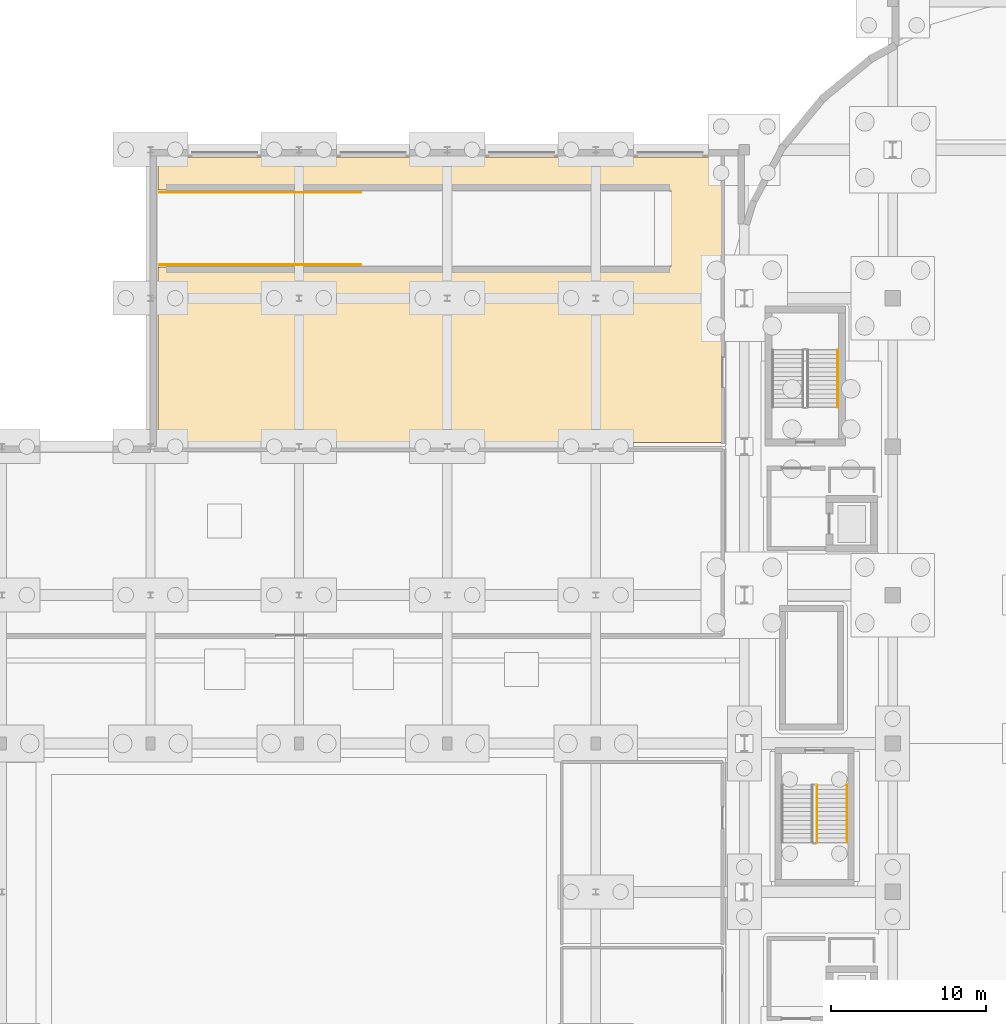
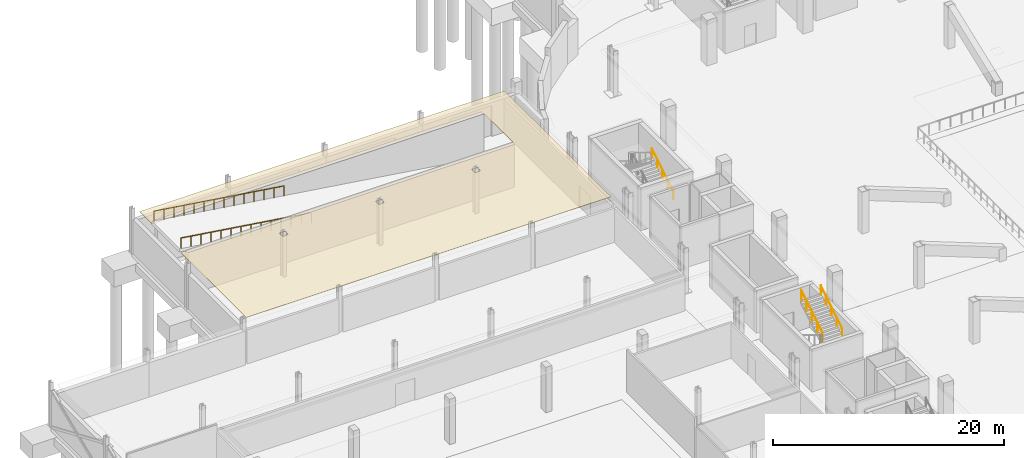
# One storey, part 50 of 67: 29 railings, 1 covering.
"""IFC4 building model written with IfcOpenShell, lengths in metres."""

from ifc_helpers import new_model, si_unit, direction, frame, origin, origin_2d, place, context, subcontext, project, spatial, polyline, circle, outline, extrude, material, layer, layer_set, type_object, element, save


model = new_model("IFC4")

# Units and contexts
model_context = context("Model", 3, precision=1e-05, world=origin(), true_north=direction((0.0, 1.0)))
body_context = subcontext(model_context, "Body", "Model", "MODEL_VIEW")
ifc_project = project(units=[si_unit("LENGTHUNIT", "METRE"), si_unit("AREAUNIT", "SQUARE_METRE"), si_unit("VOLUMEUNIT", "CUBIC_METRE"), si_unit("PLANEANGLEUNIT", "RADIAN"), si_unit("MASSUNIT", "GRAM", prefix="KILO")], contexts=[model_context])

# Site, building, storey
site_placement = place(None, origin())
site = spatial("IfcSite", under=ifc_project, at=site_placement, CompositionType="ELEMENT")
building_placement = place(site_placement, origin())
building = spatial("IfcBuilding", under=site, at=building_placement, Name="Caelomonte Colonnade Arena", CompositionType="ELEMENT")
storey_placement = place(building_placement, frame((0.0, 0.0, -4.800048828125)))
storey = spatial("IfcBuildingStorey", under=building, at=storey_placement, Name="B1", CompositionType="ELEMENT", Elevation=-4.800048828125)

# Railings
ifc_material_1 = material(Name="Painted galvanized steel handrail and posts", Category="steel")
railing_type_1 = type_object("IfcRailingType", Name="ENV-RL-GRD1", PredefinedType="GUARDRAIL", material=ifc_material_1)
for number, where, name in (
    (1, (19.800048828125, 98.159912109375, 4.774169921875), "Vehicle ramp VR-01 S deck edge guard 1"),
    (2, (20.800048828125, 98.159912109375, 4.62939453125), "Vehicle ramp VR-01 S deck edge guard 2"),
):
    element("IfcRailing", number, at=place(storey_placement, frame(where)), inside=storey, type_object=railing_type_1, Name=name, PredefinedType="GUARDRAIL", context=body_context, shape_type="SweptSolid", body=[
        extrude(circle(Radius=0.02392578125, at=origin_2d()), frame((0.0, 0.0, 1.076171875), z_axis=(0.989681961654, 0.0, -0.143281592593), x_axis=(0.0, 1.0, 0.0)), (0.0, 0.0, 1.0), 1.010498046875),
        extrude(circle(Radius=0.02099609375, at=origin_2d()), origin(), (0.0, 0.0, 1.0), 1.048095703125),
        extrude(circle(Radius=0.02099609375, at=origin_2d()), frame((1.0, 0.0, -0.144775390625)), (0.0, 0.0, 1.0), 1.048095703125),
    ])
railing_1_placement = place(storey_placement, frame((21.800048828125, 98.159912109375, 4.484619140625)))
element("IfcRailing", 3, at=railing_1_placement, inside=storey, type_object=railing_type_1, Name="Vehicle ramp VR-01 S deck edge guard 3", PredefinedType="GUARDRAIL", context=body_context, shape_type="SweptSolid", body=[
    extrude(circle(Radius=0.02392578125, at=origin_2d()), frame((0.0, 0.0, 1.076171875), z_axis=(0.989716197255, 0.0, -0.143044919135), x_axis=(0.0, 1.0, 0.0)), (0.0, 0.0, 1.0), 1.010498046875),
    extrude(circle(Radius=0.02099609375, at=origin_2d()), origin(), (0.0, 0.0, 1.0), 1.048095703125),
    extrude(circle(Radius=0.02099609375, at=origin_2d()), frame((1.0, 0.0, -0.14453125)), (0.0, 0.0, 1.0), 1.048095703125),
])
for number, where, name in (
    (4, (22.800048828125, 98.159912109375, 4.340087890625), "Vehicle ramp VR-01 S deck edge guard 4"),
    (5, (23.800048828125, 98.159912109375, 4.1953125), "Vehicle ramp VR-01 S deck edge guard 5"),
):
    element("IfcRailing", number, at=place(storey_placement, frame(where)), inside=storey, type_object=railing_type_1, Name=name, PredefinedType="GUARDRAIL", context=body_context, shape_type="SweptSolid", body=[
        extrude(circle(Radius=0.02392578125, at=origin_2d()), frame((0.0, 0.0, 1.076171875), z_axis=(0.989681961654, 0.0, -0.143281592593), x_axis=(0.0, 1.0, 0.0)), (0.0, 0.0, 1.0), 1.010498046875),
        extrude(circle(Radius=0.02099609375, at=origin_2d()), origin(), (0.0, 0.0, 1.0), 1.048095703125),
        extrude(circle(Radius=0.02099609375, at=origin_2d()), frame((1.0, 0.0, -0.144775390625)), (0.0, 0.0, 1.0), 1.048095703125),
    ])
railing_2_placement = place(storey_placement, frame((24.800048828125, 98.159912109375, 4.050537109375)))
element("IfcRailing", 6, at=railing_2_placement, inside=storey, type_object=railing_type_1, Name="Vehicle ramp VR-01 S deck edge guard 6", PredefinedType="GUARDRAIL", context=body_context, shape_type="SweptSolid", body=[
    extrude(circle(Radius=0.02392578125, at=origin_2d()), frame((0.0, 0.0, 1.076171875), z_axis=(0.989716197255, 0.0, -0.143044919135), x_axis=(0.0, 1.0, 0.0)), (0.0, 0.0, 1.0), 1.010498046875),
    extrude(circle(Radius=0.02099609375, at=origin_2d()), origin(), (0.0, 0.0, 1.0), 1.048095703125),
    extrude(circle(Radius=0.02099609375, at=origin_2d()), frame((1.0, 0.0, -0.14453125)), (0.0, 0.0, 1.0), 1.048095703125),
])
railing_3_placement = place(storey_placement, frame((25.800048828125, 98.159912109375, 3.906005859375)))
element("IfcRailing", 7, at=railing_3_placement, inside=storey, type_object=railing_type_1, Name="Vehicle ramp VR-01 S deck edge guard 7", PredefinedType="GUARDRAIL", context=body_context, shape_type="SweptSolid", body=[
    extrude(circle(Radius=0.02392578125, at=origin_2d()), frame((0.0, 0.0, 1.076171875), z_axis=(0.989681961654, 0.0, -0.143281592593), x_axis=(0.0, 1.0, 0.0)), (0.0, 0.0, 1.0), 1.010498046875),
    extrude(circle(Radius=0.02099609375, at=origin_2d()), origin(), (0.0, 0.0, 1.0), 1.048095703125),
    extrude(circle(Radius=0.02099609375, at=origin_2d()), frame((1.0, 0.0, -0.144775390625)), (0.0, 0.0, 1.0), 1.048095703125),
])
for number, where, name in (
    (8, (26.800048828125, 98.159912109375, 3.76123046875), "Vehicle ramp VR-01 S deck edge guard 8"),
    (9, (27.800048828125, 98.159912109375, 3.61669921875), "Vehicle ramp VR-01 S deck edge guard 9"),
):
    element("IfcRailing", number, at=place(storey_placement, frame(where)), inside=storey, type_object=railing_type_1, Name=name, PredefinedType="GUARDRAIL", context=body_context, shape_type="SweptSolid", body=[
        extrude(circle(Radius=0.02392578125, at=origin_2d()), frame((0.0, 0.0, 1.076171875), z_axis=(0.989716197255, 0.0, -0.143044919135), x_axis=(0.0, 1.0, 0.0)), (0.0, 0.0, 1.0), 1.010498046875),
        extrude(circle(Radius=0.02099609375, at=origin_2d()), origin(), (0.0, 0.0, 1.0), 1.048095703125),
        extrude(circle(Radius=0.02099609375, at=origin_2d()), frame((1.0, 0.0, -0.14453125)), (0.0, 0.0, 1.0), 1.048095703125),
    ])
for number, where, name in (
    (10, (28.800048828125, 98.159912109375, 3.47216796875), "Vehicle ramp VR-01 S deck edge guard 10"),
    (11, (29.800048828125, 98.159912109375, 3.327392578125), "Vehicle ramp VR-01 S deck edge guard 11"),
):
    element("IfcRailing", number, at=place(storey_placement, frame(where)), inside=storey, type_object=railing_type_1, Name=name, PredefinedType="GUARDRAIL", context=body_context, shape_type="SweptSolid", body=[
        extrude(circle(Radius=0.02392578125, at=origin_2d()), frame((0.0, 0.0, 1.076171875), z_axis=(0.989681961654, 0.0, -0.143281592593), x_axis=(0.0, 1.0, 0.0)), (0.0, 0.0, 1.0), 1.010498046875),
        extrude(circle(Radius=0.02099609375, at=origin_2d()), origin(), (0.0, 0.0, 1.0), 1.048095703125),
        extrude(circle(Radius=0.02099609375, at=origin_2d()), frame((1.0, 0.0, -0.144775390625)), (0.0, 0.0, 1.0), 1.048095703125),
    ])
railing_4_placement = place(storey_placement, frame((30.800048828125, 98.159912109375, 3.1826171875)))
element("IfcRailing", 12, at=railing_4_placement, inside=storey, type_object=railing_type_1, Name="Vehicle ramp VR-01 S deck edge guard 12", PredefinedType="GUARDRAIL", context=body_context, shape_type="SweptSolid", body=[
    extrude(circle(Radius=0.02392578125, at=origin_2d()), frame((0.0, 0.0, 1.076171875), z_axis=(0.989716197255, 0.0, -0.143044919135), x_axis=(0.0, 1.0, 0.0)), (0.0, 0.0, 1.0), 1.010498046875),
    extrude(circle(Radius=0.02099609375, at=origin_2d()), origin(), (0.0, 0.0, 1.0), 1.048095703125),
    extrude(circle(Radius=0.02099609375, at=origin_2d()), frame((1.0, 0.0, -0.14453125)), (0.0, 0.0, 1.0), 1.048095703125),
])
for number, where, name in (
    (13, (31.800048828125, 98.159912109375, 3.0380859375), "Vehicle ramp VR-01 S deck edge guard 13"),
    (14, (19.800048828125, 102.840087890625, 4.774169921875), "Vehicle ramp VR-01 N deck edge guard 1"),
    (15, (20.800048828125, 102.840087890625, 4.62939453125), "Vehicle ramp VR-01 N deck edge guard 2"),
):
    element("IfcRailing", number, at=place(storey_placement, frame(where)), inside=storey, type_object=railing_type_1, Name=name, PredefinedType="GUARDRAIL", context=body_context, shape_type="SweptSolid", body=[
        extrude(circle(Radius=0.02392578125, at=origin_2d()), frame((0.0, 0.0, 1.076171875), z_axis=(0.989681961654, 0.0, -0.143281592593), x_axis=(0.0, 1.0, 0.0)), (0.0, 0.0, 1.0), 1.010498046875),
        extrude(circle(Radius=0.02099609375, at=origin_2d()), origin(), (0.0, 0.0, 1.0), 1.048095703125),
        extrude(circle(Radius=0.02099609375, at=origin_2d()), frame((1.0, 0.0, -0.144775390625)), (0.0, 0.0, 1.0), 1.048095703125),
    ])
railing_5_placement = place(storey_placement, frame((21.800048828125, 102.840087890625, 4.484619140625)))
element("IfcRailing", 16, at=railing_5_placement, inside=storey, type_object=railing_type_1, Name="Vehicle ramp VR-01 N deck edge guard 3", PredefinedType="GUARDRAIL", context=body_context, shape_type="SweptSolid", body=[
    extrude(circle(Radius=0.02392578125, at=origin_2d()), frame((0.0, 0.0, 1.076171875), z_axis=(0.989716197255, 0.0, -0.143044919135), x_axis=(0.0, 1.0, 0.0)), (0.0, 0.0, 1.0), 1.010498046875),
    extrude(circle(Radius=0.02099609375, at=origin_2d()), origin(), (0.0, 0.0, 1.0), 1.048095703125),
    extrude(circle(Radius=0.02099609375, at=origin_2d()), frame((1.0, 0.0, -0.14453125)), (0.0, 0.0, 1.0), 1.048095703125),
])
for number, where, name in (
    (17, (22.800048828125, 102.840087890625, 4.340087890625), "Vehicle ramp VR-01 N deck edge guard 4"),
    (18, (23.800048828125, 102.840087890625, 4.1953125), "Vehicle ramp VR-01 N deck edge guard 5"),
):
    element("IfcRailing", number, at=place(storey_placement, frame(where)), inside=storey, type_object=railing_type_1, Name=name, PredefinedType="GUARDRAIL", context=body_context, shape_type="SweptSolid", body=[
        extrude(circle(Radius=0.02392578125, at=origin_2d()), frame((0.0, 0.0, 1.076171875), z_axis=(0.989681961654, 0.0, -0.143281592593), x_axis=(0.0, 1.0, 0.0)), (0.0, 0.0, 1.0), 1.010498046875),
        extrude(circle(Radius=0.02099609375, at=origin_2d()), origin(), (0.0, 0.0, 1.0), 1.048095703125),
        extrude(circle(Radius=0.02099609375, at=origin_2d()), frame((1.0, 0.0, -0.144775390625)), (0.0, 0.0, 1.0), 1.048095703125),
    ])
railing_6_placement = place(storey_placement, frame((24.800048828125, 102.840087890625, 4.050537109375)))
element("IfcRailing", 19, at=railing_6_placement, inside=storey, type_object=railing_type_1, Name="Vehicle ramp VR-01 N deck edge guard 6", PredefinedType="GUARDRAIL", context=body_context, shape_type="SweptSolid", body=[
    extrude(circle(Radius=0.02392578125, at=origin_2d()), frame((0.0, 0.0, 1.076171875), z_axis=(0.989716197255, 0.0, -0.143044919135), x_axis=(0.0, 1.0, 0.0)), (0.0, 0.0, 1.0), 1.010498046875),
    extrude(circle(Radius=0.02099609375, at=origin_2d()), origin(), (0.0, 0.0, 1.0), 1.048095703125),
    extrude(circle(Radius=0.02099609375, at=origin_2d()), frame((1.0, 0.0, -0.14453125)), (0.0, 0.0, 1.0), 1.048095703125),
])
railing_7_placement = place(storey_placement, frame((25.800048828125, 102.840087890625, 3.906005859375)))
element("IfcRailing", 20, at=railing_7_placement, inside=storey, type_object=railing_type_1, Name="Vehicle ramp VR-01 N deck edge guard 7", PredefinedType="GUARDRAIL", context=body_context, shape_type="SweptSolid", body=[
    extrude(circle(Radius=0.02392578125, at=origin_2d()), frame((0.0, 0.0, 1.076171875), z_axis=(0.989681961654, 0.0, -0.143281592593), x_axis=(0.0, 1.0, 0.0)), (0.0, 0.0, 1.0), 1.010498046875),
    extrude(circle(Radius=0.02099609375, at=origin_2d()), origin(), (0.0, 0.0, 1.0), 1.048095703125),
    extrude(circle(Radius=0.02099609375, at=origin_2d()), frame((1.0, 0.0, -0.144775390625)), (0.0, 0.0, 1.0), 1.048095703125),
])
for number, where, name in (
    (21, (26.800048828125, 102.840087890625, 3.76123046875), "Vehicle ramp VR-01 N deck edge guard 8"),
    (22, (27.800048828125, 102.840087890625, 3.61669921875), "Vehicle ramp VR-01 N deck edge guard 9"),
):
    element("IfcRailing", number, at=place(storey_placement, frame(where)), inside=storey, type_object=railing_type_1, Name=name, PredefinedType="GUARDRAIL", context=body_context, shape_type="SweptSolid", body=[
        extrude(circle(Radius=0.02392578125, at=origin_2d()), frame((0.0, 0.0, 1.076171875), z_axis=(0.989716197255, 0.0, -0.143044919135), x_axis=(0.0, 1.0, 0.0)), (0.0, 0.0, 1.0), 1.010498046875),
        extrude(circle(Radius=0.02099609375, at=origin_2d()), origin(), (0.0, 0.0, 1.0), 1.048095703125),
        extrude(circle(Radius=0.02099609375, at=origin_2d()), frame((1.0, 0.0, -0.14453125)), (0.0, 0.0, 1.0), 1.048095703125),
    ])
for number, where, name in (
    (23, (28.800048828125, 102.840087890625, 3.47216796875), "Vehicle ramp VR-01 N deck edge guard 10"),
    (24, (29.800048828125, 102.840087890625, 3.327392578125), "Vehicle ramp VR-01 N deck edge guard 11"),
):
    element("IfcRailing", number, at=place(storey_placement, frame(where)), inside=storey, type_object=railing_type_1, Name=name, PredefinedType="GUARDRAIL", context=body_context, shape_type="SweptSolid", body=[
        extrude(circle(Radius=0.02392578125, at=origin_2d()), frame((0.0, 0.0, 1.076171875), z_axis=(0.989681961654, 0.0, -0.143281592593), x_axis=(0.0, 1.0, 0.0)), (0.0, 0.0, 1.0), 1.010498046875),
        extrude(circle(Radius=0.02099609375, at=origin_2d()), origin(), (0.0, 0.0, 1.0), 1.048095703125),
        extrude(circle(Radius=0.02099609375, at=origin_2d()), frame((1.0, 0.0, -0.144775390625)), (0.0, 0.0, 1.0), 1.048095703125),
    ])
railing_8_placement = place(storey_placement, frame((30.800048828125, 102.840087890625, 3.1826171875)))
element("IfcRailing", 25, at=railing_8_placement, inside=storey, type_object=railing_type_1, Name="Vehicle ramp VR-01 N deck edge guard 12", PredefinedType="GUARDRAIL", context=body_context, shape_type="SweptSolid", body=[
    extrude(circle(Radius=0.02392578125, at=origin_2d()), frame((0.0, 0.0, 1.076171875), z_axis=(0.989716197255, 0.0, -0.143044919135), x_axis=(0.0, 1.0, 0.0)), (0.0, 0.0, 1.0), 1.010498046875),
    extrude(circle(Radius=0.02099609375, at=origin_2d()), origin(), (0.0, 0.0, 1.0), 1.048095703125),
    extrude(circle(Radius=0.02099609375, at=origin_2d()), frame((1.0, 0.0, -0.14453125)), (0.0, 0.0, 1.0), 1.048095703125),
])
railing_9_placement = place(storey_placement, frame((31.800048828125, 102.840087890625, 3.0380859375)))
element("IfcRailing", 26, at=railing_9_placement, inside=storey, type_object=railing_type_1, Name="Vehicle ramp VR-01 N deck edge guard 13", PredefinedType="GUARDRAIL", context=body_context, shape_type="SweptSolid", body=[
    extrude(circle(Radius=0.02392578125, at=origin_2d()), frame((0.0, 0.0, 1.076171875), z_axis=(0.989681961654, 0.0, -0.143281592593), x_axis=(0.0, 1.0, 0.0)), (0.0, 0.0, 1.0), 1.010498046875),
    extrude(circle(Radius=0.02099609375, at=origin_2d()), origin(), (0.0, 0.0, 1.0), 1.048095703125),
    extrude(circle(Radius=0.02099609375, at=origin_2d()), frame((1.0, 0.0, -0.144775390625)), (0.0, 0.0, 1.0), 1.048095703125),
])

# Covering
ifc_material_2 = material(Name="Perforated acoustic mineral-fibre ceiling")
ifc_layer = layer(ifc_material_2, 0.0400390625)
ifc_layer_set = layer_set([ifc_layer], Name="Perforated acoustic mineral-fibre ceiling")
covering_type = type_object("IfcCoveringType", Name="INT-CV-CEIL1", PredefinedType="CEILING", material=ifc_layer_set)
covering_placement = place(storey_placement, frame((0.0, 0.0, 4.420166015625)))
element("IfcCovering", 27, at=covering_placement, inside=storey, type_object=covering_type, Name="B1 Truck Loading Dock acoustic ceiling", PredefinedType="CEILING", context=body_context, shape_type="SweptSolid", body=[
    extrude(outline(polyline([(52.780029296875, 98.0), (19.679931640625, 98.0), (19.679931640625, 86.679931640625), (28.584716796875, 86.679931640625), (28.590087890625, 86.680908203125), (28.597900390625, 86.68115234375), (29.001953125, 86.68115234375), (29.009765625, 86.680908203125), (29.015380859375, 86.679931640625), (38.184814453125, 86.679931640625), (38.190185546875, 86.680908203125), (38.197998046875, 86.68115234375), (38.60205078125, 86.68115234375), (38.60986328125, 86.680908203125), (38.615234375, 86.679931640625), (47.78466796875, 86.679931640625), (47.790283203125, 86.680908203125), (47.798095703125, 86.68115234375), (48.201904296875, 86.68115234375), (48.209716796875, 86.680908203125), (48.21533203125, 86.679931640625), (56.1201171875, 86.679931640625), (56.1201171875, 105.1201171875), (19.679931640625, 105.1201171875), (19.679931640625, 103.0), (52.780029296875, 103.0), (52.787841796875, 102.99951171875), (52.795654296875, 102.99853515625), (52.80322265625, 102.99658203125), (52.810546875, 102.993896484375), (52.817626953125, 102.990478515625), (52.824462890625, 102.986572265625), (52.830810546875, 102.981689453125), (52.836669921875, 102.9765625), (52.841796875, 102.970703125), (52.846435546875, 102.96435546875), (52.8505859375, 102.957763671875), (52.85400390625, 102.95068359375), (52.856689453125, 102.943115234375), (52.8583984375, 102.935546875), (52.859619140625, 102.927734375), (52.860107421875, 102.919921875), (52.860107421875, 98.080078125), (52.859619140625, 98.072265625), (52.8583984375, 98.064453125), (52.856689453125, 98.056884765625), (52.85400390625, 98.04931640625), (52.8505859375, 98.042236328125), (52.846435546875, 98.03564453125), (52.841796875, 98.029296875), (52.836669921875, 98.0234375), (52.830810546875, 98.018310546875), (52.824462890625, 98.013427734375), (52.817626953125, 98.009521484375), (52.810546875, 98.006103515625), (52.80322265625, 98.00341796875), (52.795654296875, 98.00146484375), (52.787841796875, 98.00048828125), (52.780029296875, 98.0)]), holes=[polyline([(47.718505859375, 95.791015625), (47.718017578125, 95.798828125), (47.718017578125, 96.201171875), (47.718505859375, 96.208984375), (47.719482421875, 96.216796875), (47.721435546875, 96.224365234375), (47.72412109375, 96.231689453125), (47.727294921875, 96.239013671875), (47.7314453125, 96.24560546875), (47.736083984375, 96.251953125), (47.741455078125, 96.2578125), (47.747314453125, 96.262939453125), (47.753662109375, 96.267578125), (47.76025390625, 96.271728515625), (47.767333984375, 96.275146484375), (47.77490234375, 96.27783203125), (47.782470703125, 96.27978515625), (47.790283203125, 96.28076171875), (47.798095703125, 96.28125), (48.201904296875, 96.28125), (48.209716796875, 96.28076171875), (48.217529296875, 96.27978515625), (48.22509765625, 96.27783203125), (48.232666015625, 96.275146484375), (48.23974609375, 96.271728515625), (48.246337890625, 96.267578125), (48.252685546875, 96.262939453125), (48.258544921875, 96.2578125), (48.263916015625, 96.251953125), (48.2685546875, 96.24560546875), (48.272705078125, 96.239013671875), (48.27587890625, 96.231689453125), (48.278564453125, 96.224365234375), (48.280517578125, 96.216796875), (48.281494140625, 96.208984375), (48.281982421875, 96.201171875), (48.281982421875, 95.798828125), (48.281494140625, 95.791015625), (48.280517578125, 95.783203125), (48.278564453125, 95.775634765625), (48.27587890625, 95.768310546875), (48.272705078125, 95.760986328125), (48.2685546875, 95.75439453125), (48.263916015625, 95.748046875), (48.258544921875, 95.7421875), (48.252685546875, 95.737060546875), (48.246337890625, 95.732421875), (48.23974609375, 95.728271484375), (48.232666015625, 95.724853515625), (48.22509765625, 95.72216796875), (48.217529296875, 95.72021484375), (48.209716796875, 95.71923828125), (48.201904296875, 95.71875), (47.798095703125, 95.71875), (47.790283203125, 95.71923828125), (47.782470703125, 95.72021484375), (47.77490234375, 95.72216796875), (47.767333984375, 95.724853515625), (47.76025390625, 95.728271484375), (47.753662109375, 95.732421875), (47.747314453125, 95.737060546875), (47.741455078125, 95.7421875), (47.736083984375, 95.748046875), (47.7314453125, 95.75439453125), (47.727294921875, 95.760986328125), (47.72412109375, 95.768310546875), (47.721435546875, 95.775634765625), (47.719482421875, 95.783203125), (47.718505859375, 95.791015625)]), polyline([(38.118408203125, 95.791015625), (38.117919921875, 95.798828125), (38.117919921875, 96.201171875), (38.118408203125, 96.208984375), (38.119384765625, 96.216796875), (38.121337890625, 96.224365234375), (38.1240234375, 96.231689453125), (38.12744140625, 96.239013671875), (38.131591796875, 96.24560546875), (38.13623046875, 96.251953125), (38.141357421875, 96.2578125), (38.147216796875, 96.262939453125), (38.153564453125, 96.267578125), (38.160400390625, 96.271728515625), (38.16748046875, 96.275146484375), (38.1748046875, 96.27783203125), (38.182373046875, 96.27978515625), (38.190185546875, 96.28076171875), (38.197998046875, 96.28125), (38.60205078125, 96.28125), (38.60986328125, 96.28076171875), (38.61767578125, 96.27978515625), (38.625244140625, 96.27783203125), (38.632568359375, 96.275146484375), (38.6396484375, 96.271728515625), (38.646484375, 96.267578125), (38.65283203125, 96.262939453125), (38.65869140625, 96.2578125), (38.663818359375, 96.251953125), (38.66845703125, 96.24560546875), (38.672607421875, 96.239013671875), (38.67578125, 96.231689453125), (38.6787109375, 96.224365234375), (38.680419921875, 96.216796875), (38.681640625, 96.208984375), (38.681884765625, 96.201171875), (38.681884765625, 95.798828125), (38.681640625, 95.791015625), (38.680419921875, 95.783203125), (38.6787109375, 95.775634765625), (38.67578125, 95.768310546875), (38.672607421875, 95.760986328125), (38.66845703125, 95.75439453125), (38.663818359375, 95.748046875), (38.65869140625, 95.7421875), (38.65283203125, 95.737060546875), (38.646484375, 95.732421875), (38.6396484375, 95.728271484375), (38.632568359375, 95.724853515625), (38.625244140625, 95.72216796875), (38.61767578125, 95.72021484375), (38.60986328125, 95.71923828125), (38.60205078125, 95.71875), (38.197998046875, 95.71875), (38.190185546875, 95.71923828125), (38.182373046875, 95.72021484375), (38.1748046875, 95.72216796875), (38.16748046875, 95.724853515625), (38.160400390625, 95.728271484375), (38.153564453125, 95.732421875), (38.147216796875, 95.737060546875), (38.141357421875, 95.7421875), (38.13623046875, 95.748046875), (38.131591796875, 95.75439453125), (38.12744140625, 95.760986328125), (38.1240234375, 95.768310546875), (38.121337890625, 95.775634765625), (38.119384765625, 95.783203125), (38.118408203125, 95.791015625)]), polyline([(28.518310546875, 95.791015625), (28.51806640625, 95.798828125), (28.51806640625, 96.201171875), (28.518310546875, 96.208984375), (28.51953125, 96.216796875), (28.521484375, 96.224365234375), (28.524169921875, 96.231689453125), (28.52734375, 96.239013671875), (28.531494140625, 96.24560546875), (28.5361328125, 96.251953125), (28.54150390625, 96.2578125), (28.547119140625, 96.262939453125), (28.5537109375, 96.267578125), (28.560302734375, 96.271728515625), (28.5673828125, 96.275146484375), (28.57470703125, 96.27783203125), (28.58251953125, 96.27978515625), (28.590087890625, 96.28076171875), (28.597900390625, 96.28125), (29.001953125, 96.28125), (29.009765625, 96.28076171875), (29.017578125, 96.27978515625), (29.025146484375, 96.27783203125), (29.03271484375, 96.275146484375), (29.039794921875, 96.271728515625), (29.04638671875, 96.267578125), (29.052734375, 96.262939453125), (29.05859375, 96.2578125), (29.063720703125, 96.251953125), (29.068603515625, 96.24560546875), (29.072509765625, 96.239013671875), (29.075927734375, 96.231689453125), (29.07861328125, 96.224365234375), (29.08056640625, 96.216796875), (29.08154296875, 96.208984375), (29.08203125, 96.201171875), (29.08203125, 95.798828125), (29.08154296875, 95.791015625), (29.08056640625, 95.783203125), (29.07861328125, 95.775634765625), (29.075927734375, 95.768310546875), (29.072509765625, 95.760986328125), (29.068603515625, 95.75439453125), (29.063720703125, 95.748046875), (29.05859375, 95.7421875), (29.052734375, 95.737060546875), (29.04638671875, 95.732421875), (29.039794921875, 95.728271484375), (29.03271484375, 95.724853515625), (29.025146484375, 95.72216796875), (29.017578125, 95.72021484375), (29.009765625, 95.71923828125), (29.001953125, 95.71875), (28.597900390625, 95.71875), (28.590087890625, 95.71923828125), (28.58251953125, 95.72021484375), (28.57470703125, 95.72216796875), (28.5673828125, 95.724853515625), (28.560302734375, 95.728271484375), (28.5537109375, 95.732421875), (28.547119140625, 95.737060546875), (28.54150390625, 95.7421875), (28.5361328125, 95.748046875), (28.531494140625, 95.75439453125), (28.52734375, 95.760986328125), (28.524169921875, 95.768310546875), (28.521484375, 95.775634765625), (28.51953125, 95.783203125), (28.518310546875, 95.791015625)])]), origin(), (0.0, 0.0, 1.0), 0.039794921875),
])

# Railings
ifc_material_3 = material(Name="Painted galvanized steel stair guard", Category="steel")
railing_type_2 = type_object("IfcRailingType", Name="INT-RL-GRD", PredefinedType="GUARDRAIL", material=ifc_material_3)
railing_10_placement = place(storey_placement, frame((62.300048828125, 60.794921875, 2.571533203125)))
element("IfcRailing", 28, at=railing_10_placement, inside=storey, type_object=railing_type_2, Name="B1 ST-09 stair guard 3", PredefinedType="GUARDRAIL", context=body_context, shape_type="SweptSolid", body=[
    extrude(circle(Radius=0.02392578125, at=origin_2d()), frame((0.0, 0.0, 1.076171875), z_axis=(0.0, 0.856934400257, 0.515425487977), x_axis=(-1.0, 0.0, 0.0)), (0.0, 0.0, 1.0), 4.32373046875),
    extrude(circle(Radius=0.02099609375, at=origin_2d()), origin(), (0.0, 0.0, 1.0), 1.048095703125),
    extrude(circle(Radius=0.02099609375, at=origin_2d()), frame((0.0, 0.92626953125, 0.55712890625)), (0.0, 0.0, 1.0), 1.048095703125),
    extrude(circle(Radius=0.02099609375, at=origin_2d()), frame((0.0, 1.8525390625, 1.1142578125)), (0.0, 0.0, 1.0), 1.048095703125),
    extrude(circle(Radius=0.02099609375, at=origin_2d()), frame((0.0, 2.77880859375, 1.67138671875)), (0.0, 0.0, 1.0), 1.048095703125),
    extrude(circle(Radius=0.02099609375, at=origin_2d()), frame((0.0, 3.705078125, 2.228515625)), (0.0, 0.0, 1.0), 1.048095703125),
])
ifc_material_4 = material(Name="Brushed stainless steel stair handrail", Category="steel")
railing_type_3 = type_object("IfcRailingType", Name="INT-RL-HR", PredefinedType="HANDRAIL", material=ifc_material_4)
railing_11_placement = place(storey_placement, frame((63.64990234375, 88.949951171875, 0.17138671875)))
element("IfcRailing", 29, at=railing_11_placement, inside=storey, type_object=railing_type_3, Name="B1 ST-04 stair handrail 1", PredefinedType="HANDRAIL", context=body_context, shape_type="SweptSolid", body=[
    extrude(circle(Radius=0.02392578125, at=origin_2d()), frame((0.0, 0.0, 0.8759765625), z_axis=(0.0, 0.856909459561, 0.515466951525), x_axis=(-1.0, 0.0, 0.0)), (0.0, 0.0, 1.0), 4.32373046875),
    extrude(circle(Radius=0.02099609375, at=origin_2d()), origin(), (0.0, 0.0, 1.0), 0.847900390625),
    extrude(circle(Radius=0.02099609375, at=origin_2d()), frame((0.0, 0.92626953125, 0.55712890625)), (0.0, 0.0, 1.0), 0.847900390625),
    extrude(circle(Radius=0.02099609375, at=origin_2d()), frame((0.0, 1.8525390625, 1.1142578125)), (0.0, 0.0, 1.0), 0.847900390625),
    extrude(circle(Radius=0.02099609375, at=origin_2d()), frame((0.0, 2.77880859375, 1.671630859375)), (0.0, 0.0, 1.0), 0.847900390625),
    extrude(circle(Radius=0.02099609375, at=origin_2d()), frame((0.0, 3.705078125, 2.228759765625)), (0.0, 0.0, 1.0), 0.847900390625),
])
railing_12_placement = place(storey_placement, frame((64.25, 60.794921875, 2.571533203125)))
element("IfcRailing", 30, at=railing_12_placement, inside=storey, type_object=railing_type_3, Name="B1 ST-09 stair handrail 2", PredefinedType="HANDRAIL", context=body_context, shape_type="SweptSolid", body=[
    extrude(circle(Radius=0.02392578125, at=origin_2d()), frame((0.0, 0.0, 0.8759765625), z_axis=(0.0, 0.856934400257, 0.515425487977), x_axis=(-1.0, 0.0, 0.0)), (0.0, 0.0, 1.0), 4.32373046875),
    extrude(circle(Radius=0.02099609375, at=origin_2d()), origin(), (0.0, 0.0, 1.0), 0.847900390625),
    extrude(circle(Radius=0.02099609375, at=origin_2d()), frame((0.0, 0.92626953125, 0.55712890625)), (0.0, 0.0, 1.0), 0.847900390625),
    extrude(circle(Radius=0.02099609375, at=origin_2d()), frame((0.0, 1.8525390625, 1.1142578125)), (0.0, 0.0, 1.0), 0.847900390625),
    extrude(circle(Radius=0.02099609375, at=origin_2d()), frame((0.0, 2.77880859375, 1.67138671875)), (0.0, 0.0, 1.0), 0.847900390625),
    extrude(circle(Radius=0.02099609375, at=origin_2d()), frame((0.0, 3.705078125, 2.228515625)), (0.0, 0.0, 1.0), 0.847900390625),
])

save(model, "model.ifc")
